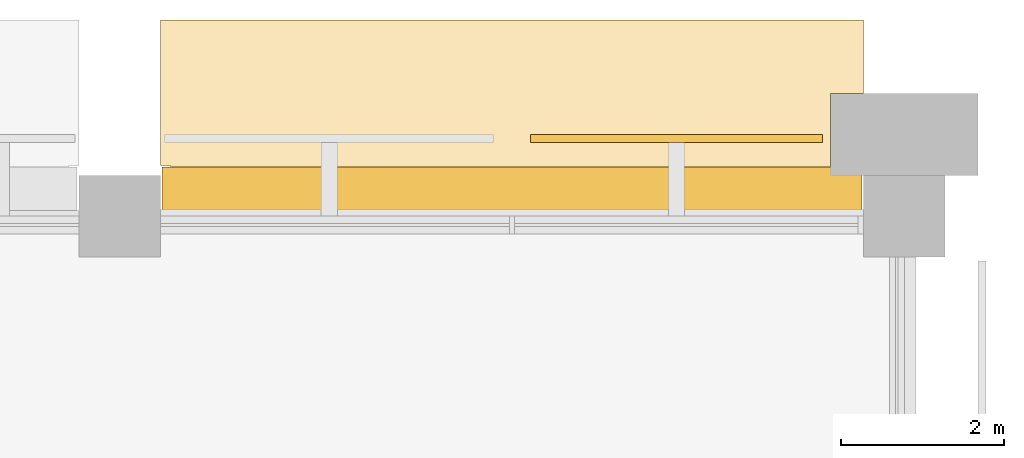
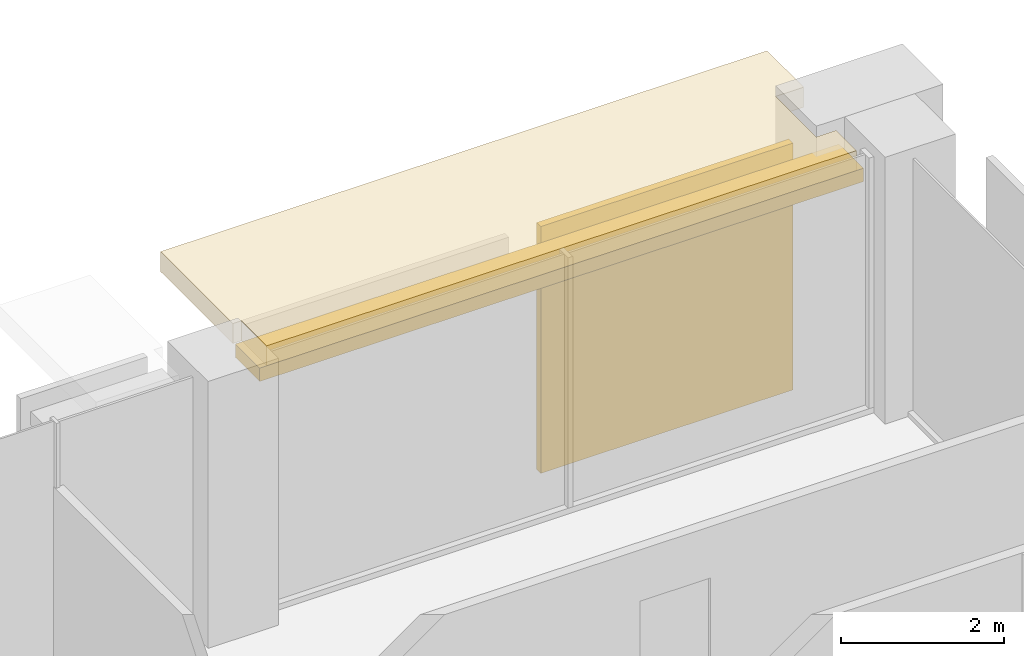
# One storey, part 14 of 14: 2 coverings, 1 shading device.
"""IFC4 building model written with IfcOpenShell, lengths in metres."""

from ifc_helpers import new_model, si_unit, direction, frame, origin, origin_2d, place, context, subcontext, project, spatial, polyline, rectangle, outline, extrude, material, layer, layer_set, type_object, element, save


model = new_model("IFC4")

# Units and contexts
model_context = context("Model", 3, precision=1e-05, world=origin(), true_north=direction((0.0, 1.0)))
body_context = subcontext(model_context, "Body", "Model", "MODEL_VIEW")
ifc_project = project(units=[si_unit("LENGTHUNIT", "METRE"), si_unit("AREAUNIT", "SQUARE_METRE"), si_unit("VOLUMEUNIT", "CUBIC_METRE"), si_unit("PLANEANGLEUNIT", "RADIAN"), si_unit("MASSUNIT", "GRAM", prefix="KILO")], contexts=[model_context])

# Site, building, storey
site_placement = place(None, origin())
site = spatial("IfcSite", under=ifc_project, at=site_placement, CompositionType="ELEMENT")
building_placement = place(site_placement, origin())
building = spatial("IfcBuilding", under=site, at=building_placement, Name="Baori Bourse Tower", CompositionType="ELEMENT")
storey_placement = place(building_placement, frame((0.0, 0.0, 290.300048828125)))
storey = spatial("IfcBuildingStorey", under=building, at=storey_placement, Name="L63", CompositionType="ELEMENT", Elevation=290.300048828125)

# Covering
ifc_material_1 = material(Name="Pale anodised aluminium", Category="aluminium")
covering_type_1 = type_object("IfcCoveringType", Name="BD1 Pale metal band", PredefinedType="CLADDING", material=ifc_material_1)
covering_1_placement = place(storey_placement, frame((0.0, 0.0, 3.5400390625)))
element("IfcCovering", 1, at=covering_1_placement, inside=storey, type_object=covering_type_1, Name="Pale projecting band L63 2", PredefinedType="CLADDING", context=body_context, shape_type="SweptSolid", body=[
    extrude(outline(polyline([(29.419921875, 48.0), (37.780029296875, 48.0), (37.780029296875, 48.5), (37.5, 48.5), (37.5, 49.5), (37.89990234375, 49.5), (37.89990234375, 50.39990234375), (29.300048828125, 50.39990234375), (29.300048828125, 48.6201171875), (29.419921875, 48.6201171875), (29.419921875, 48.0)])), origin(), (0.0, 0.0, 1.0), 0.2998046875),
])

# Shading device
ifc_material_2 = material(Name="Concrete f'c 40 MPa", Category="concrete")
ifc_layer_1 = layer(ifc_material_2, 0.199951171875)
ifc_layer_set_1 = layer_set([ifc_layer_1], Name="BS1 Brise-soleil ledge")
shading_device_type = type_object("IfcShadingDeviceType", Name="BS1 Brise-soleil ledge", PredefinedType="USERDEFINED", material=ifc_layer_set_1)
shading_device_placement = place(storey_placement, frame((33.60009765625, 48.300048828125, 3.33984375), z_axis=(0.0, 0.0, 1.0), x_axis=(-1.0, 0.0, 0.0)))
element("IfcShadingDevice", 2, at=shading_device_placement, inside=storey, type_object=shading_device_type, Name="Brise-soleil ledge L63 1", ObjectType="BRISE SOLEIL", PredefinedType="USERDEFINED", context=body_context, shape_type="SweptSolid", body=[
    extrude(rectangle(XDim=8.56005859375, YDim=0.60009765625, at=origin_2d()), origin(), (0.0, 0.0, 1.0), 0.199951171875),
])

# Covering
ifc_material_3 = material(Name="Pale anodised aluminium", Category="aluminium")
ifc_layer_2 = layer(ifc_material_3, 0.10009765625)
ifc_layer_set_2 = layer_set([ifc_layer_2], Name="OS3 Outer skin screen panel")
covering_type_2 = type_object("IfcCoveringType", Name="OS3 Outer skin screen panel", PredefinedType="CLADDING", material=ifc_layer_set_2)
covering_2_placement = place(storey_placement, frame((0.0, 0.0, -0.16015625)))
element("IfcCovering", 3, at=covering_2_placement, inside=storey, type_object=covering_type_2, Name="Outer skin screen L63 4", PredefinedType="CLADDING", context=body_context, shape_type="SweptSolid", body=[
    extrude(outline(polyline([(33.824951171875, 48.89990234375), (37.39990234375, 48.89990234375), (37.39990234375, 49.0), (33.824951171875, 49.0), (33.824951171875, 48.89990234375)])), origin(), (0.0, 0.0, 1.0), 3.7001953125),
])

save(model, "model.ifc")
